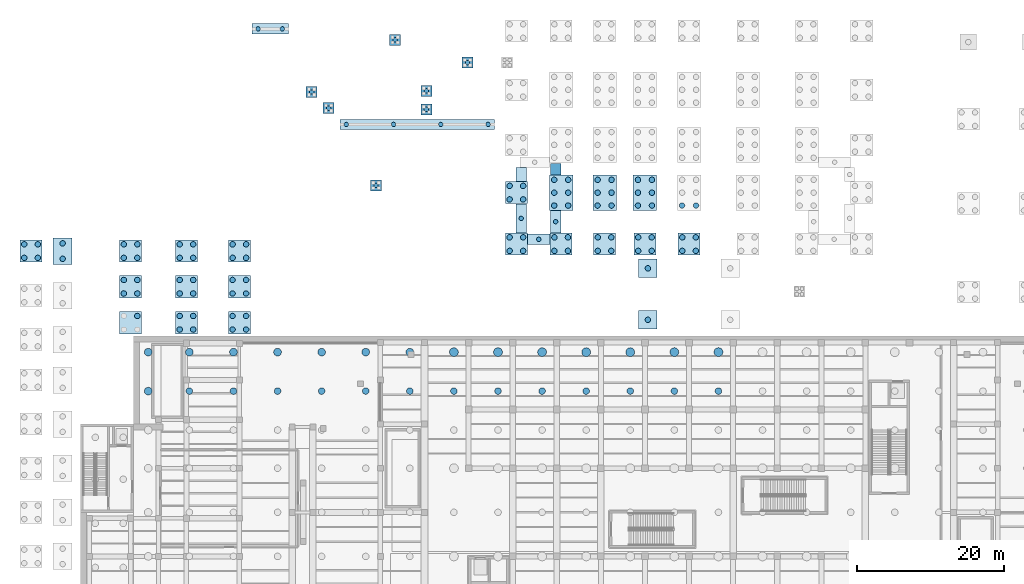
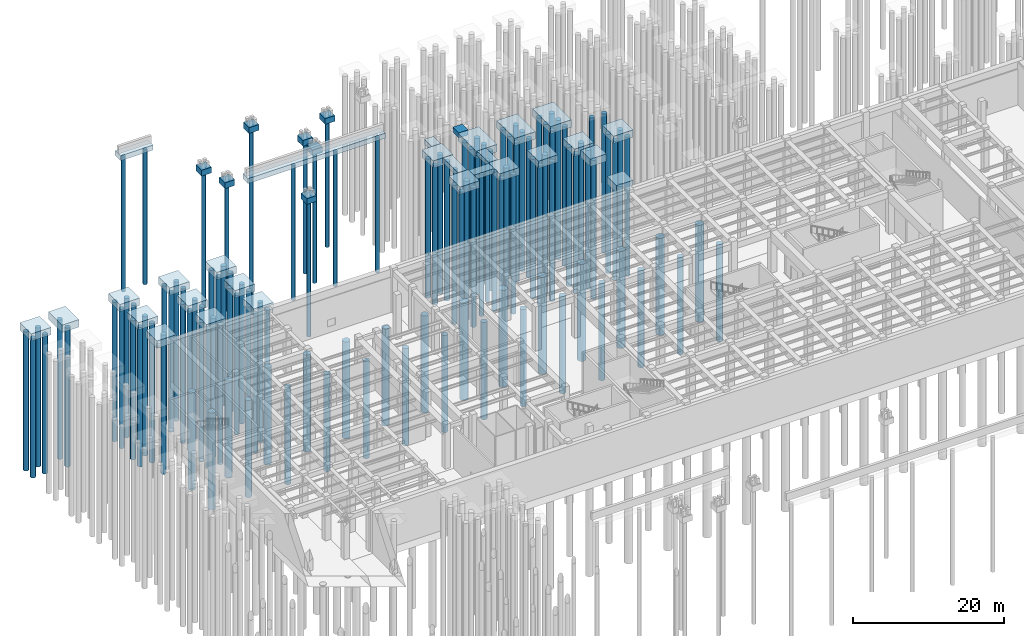
# One storey, part 3 of 30: 129 piles, 36 footings.
"""IFC4 building model written with IfcOpenShell, lengths in metres."""

from ifc_helpers import new_model, si_unit, direction, frame, origin, origin_2d, place, context, subcontext, project, spatial, rectangle, circle, extrude, material, material_profile, profile_set, type_object, element, save


model = new_model("IFC4")

# Units and contexts
model_context = context("Model", 3, precision=1e-05, world=origin(), true_north=direction((0.0, 1.0)))
body_context = subcontext(model_context, "Body", "Model", "MODEL_VIEW")
ifc_project = project(units=[si_unit("LENGTHUNIT", "METRE"), si_unit("AREAUNIT", "SQUARE_METRE"), si_unit("VOLUMEUNIT", "CUBIC_METRE"), si_unit("PLANEANGLEUNIT", "RADIAN"), si_unit("MASSUNIT", "GRAM", prefix="KILO")], contexts=[model_context])

# Site, building, storey
site_placement = place(None, origin())
site = spatial("IfcSite", under=ifc_project, at=site_placement, CompositionType="ELEMENT")
building_placement = place(site_placement, origin())
building = spatial("IfcBuilding", under=site, at=building_placement, Name="Kolvaren Corner Interchange", CompositionType="ELEMENT")
storey_placement = place(building_placement, frame((0.0, 0.0, -7.199951171875)))
storey = spatial("IfcBuildingStorey", under=building, at=storey_placement, Name="B1", CompositionType="ELEMENT", Elevation=-7.199951171875)

# Footings
ifc_material_1 = material(Name="Concrete C40/50", Category="concrete")
footing_type_1 = type_object("IfcFootingType", Name="FC-3P", PredefinedType="PILE_CAP", material=ifc_material_1)
footing_1_placement = place(storey_placement, frame((4.75, 83.550048828125, 5.60009765625), z_axis=(0.0, 0.0, 1.0), x_axis=(1.0, 0.0, 0.0)))
element("IfcFooting", 1, at=footing_1_placement, inside=storey, type_object=footing_type_1, Name="Reinforced Concrete Foundation Pile Cap 030", PredefinedType="PILE_CAP", context=body_context, shape_type="SweptSolid", body=[
    extrude(rectangle(XDim=2.60009765625, YDim=3.60009765625, at=origin_2d()), origin(), (0.0, 0.0, 1.0), 1.199951171875),
])
ifc_material_2 = material(Name="Concrete C40/50", Category="concrete")
footing_type_2 = type_object("IfcFootingType", Name="FC-4P", PredefinedType="PILE_CAP", material=ifc_material_2)
for number, where, z_axis, x_axis, name in (
    (2, (0.449951171875, 83.550048828125, 5.60009765625), (0.0, 0.0, 1.0), (1.0, 0.0, 0.0), "Reinforced Concrete Foundation Pile Cap 015"),
    (3, (14.0, 73.800048828125, 5.60009765625), (0.0, 0.0, 1.0), (1.0, 0.0, 0.0), "Reinforced Concrete Foundation Pile Cap 046"),
    (4, (14.0, 78.699951171875, 5.60009765625), (0.0, 0.0, 1.0), (1.0, 0.0, 0.0), "Reinforced Concrete Foundation Pile Cap 047"),
    (5, (14.0, 83.550048828125, 5.60009765625), (0.0, 0.0, 1.0), (1.0, 0.0, 0.0), "Reinforced Concrete Foundation Pile Cap 048"),
    (6, (21.60009765625, 73.800048828125, 5.60009765625), (0.0, 0.0, 1.0), (1.0, 0.0, 0.0), "Reinforced Concrete Foundation Pile Cap 049"),
    (7, (21.60009765625, 78.699951171875, 5.60009765625), (0.0, 0.0, 1.0), (1.0, 0.0, 0.0), "Reinforced Concrete Foundation Pile Cap 050"),
    (8, (21.60009765625, 83.550048828125, 5.60009765625), (0.0, 0.0, 1.0), (1.0, 0.0, 0.0), "Reinforced Concrete Foundation Pile Cap 051"),
    (9, (28.800048828125, 73.800048828125, 5.60009765625), (0.0, 0.0, 1.0), (1.0, 0.0, 0.0), "Reinforced Concrete Foundation Pile Cap 052"),
    (10, (28.800048828125, 78.699951171875, 5.60009765625), (0.0, 0.0, 1.0), (1.0, 0.0, 0.0), "Reinforced Concrete Foundation Pile Cap 053"),
    (11, (28.800048828125, 83.550048828125, 5.60009765625), (0.0, 0.0, 1.0), (1.0, 0.0, 0.0), "Reinforced Concrete Foundation Pile Cap 054"),
    (12, (66.5, 84.5, 5.60009765625), (0.0, 0.0, 1.0), (1.0, 0.0, 0.0), "Reinforced Concrete Foundation Pile Cap 055"),
    (13, (66.5, 91.5, 5.60009765625), (0.0, 0.0, 1.0), (1.0, 0.0, 0.0), "Reinforced Concrete Foundation Pile Cap 056"),
    (14, (72.60009765625, 84.5, 5.60009765625), (0.0, 0.0, 1.0), (1.0, 0.0, 0.0), "Reinforced Concrete Foundation Pile Cap 060"),
    (15, (78.5, 84.5, 5.60009765625), (0.0, 0.0, 1.0), (1.0, 0.0, 0.0), "Reinforced Concrete Foundation Pile Cap 065"),
    (16, (84.0, 84.5, 5.60009765625), (0.0, 0.0, 1.0), (1.0, 0.0, 0.0), "Reinforced Concrete Foundation Pile Cap 070"),
    (17, (90.0, 84.5, 5.60009765625), (0.0, 0.0, 1.0), (1.0, 0.0, 0.0), "Reinforced Concrete Foundation Pile Cap 075"),
):
    element("IfcFooting", number, at=place(storey_placement, frame(where, z_axis=z_axis, x_axis=x_axis)), inside=storey, type_object=footing_type_2, Name=name, PredefinedType="PILE_CAP", context=body_context, shape_type="SweptSolid", body=[
        extrude(rectangle(XDim=3.0, YDim=3.0, at=origin_2d()), origin(), (0.0, 0.0, 1.0), 1.199951171875),
    ])
ifc_material_3 = material(Name="Concrete C40/50", Category="concrete")
footing_type_3 = type_object("IfcFootingType", Name="FC-6P", PredefinedType="PILE_CAP", material=ifc_material_3)
for number, where, z_axis, x_axis, name in (
    (18, (72.60009765625, 91.5, 5.60009765625), (0.0, 0.0, 1.0), (1.0, 0.0, 0.0), "Reinforced Concrete Foundation Pile Cap 061"),
    (19, (78.5, 91.5, 5.60009765625), (0.0, 0.0, 1.0), (1.0, 0.0, 0.0), "Reinforced Concrete Foundation Pile Cap 066"),
    (20, (84.0, 91.5, 5.60009765625), (0.0, 0.0, 1.0), (1.0, 0.0, 0.0), "Reinforced Concrete Foundation Pile Cap 071"),
):
    element("IfcFooting", number, at=place(storey_placement, frame(where, z_axis=z_axis, x_axis=x_axis)), inside=storey, type_object=footing_type_3, Name=name, PredefinedType="PILE_CAP", context=body_context, shape_type="SweptSolid", body=[
        extrude(rectangle(XDim=3.199951171875, YDim=4.800048828125, at=origin_2d()), origin(), (0.0, 0.0, 1.0), 1.199951171875),
    ])
ifc_material_4 = material(Name="Concrete C40/50", Category="concrete")
footing_type_4 = type_object("IfcFootingType", Name="FD-PAD2", PredefinedType="PAD_FOOTING", material=ifc_material_4)
for number, where, z_axis, x_axis, name in (
    (21, (84.39990234375, 74.199951171875, 5.60009765625), (0.0, 0.0, 1.0), (1.0, 0.0, 0.0), "Reinforced Concrete Foundation Pile Cap 095"),
    (22, (84.39990234375, 81.199951171875, 5.60009765625), (0.0, 0.0, 1.0), (1.0, 0.0, 0.0), "Reinforced Concrete Foundation Pile Cap 096"),
):
    element("IfcFooting", number, at=place(storey_placement, frame(where, z_axis=z_axis, x_axis=x_axis)), inside=storey, type_object=footing_type_4, Name=name, PredefinedType="PAD_FOOTING", context=body_context, shape_type="SweptSolid", body=[
        extrude(rectangle(XDim=2.5, YDim=2.5, at=origin_2d()), origin(), (0.0, 0.0, 1.0), 1.199951171875),
    ])
ifc_material_5 = material(Name="Concrete C40/50", Category="concrete")
footing_type_5 = type_object("IfcFootingType", Name="FD-PAD4", PredefinedType="PAD_FOOTING", material=ifc_material_5)
for number, where, z_axis, x_axis, name in (
    (23, (50.0, 112.300048828125, 3.669921875), (0.0, 0.0, 1.0), (1.0, 0.0, 0.0), "Reinforced Concrete Foundation Pile Cap 142"),
    (24, (59.85009765625, 109.199951171875, 3.56005859375), (0.0, 0.0, 1.0), (1.0, 0.0, 0.0), "Reinforced Concrete Foundation Pile Cap 145"),
    (25, (38.64990234375, 105.199951171875, 5.06005859375), (0.0, 0.0, 1.0), (1.0, 0.0, 0.0), "Reinforced Concrete Foundation Pile Cap 151"),
    (26, (40.949951171875, 103.0, 3.56005859375), (0.0, 0.0, 1.0), (1.0, 0.0, 0.0), "Reinforced Concrete Foundation Pile Cap 152"),
    (27, (54.25, 102.85009765625, 4.31005859375), (0.0, 0.0, 1.0), (1.0, 0.0, 0.0), "Reinforced Concrete Foundation Pile Cap 153"),
    (28, (54.25, 105.35009765625, 4.31005859375), (0.0, 0.0, 1.0), (1.0, 0.0, 0.0), "Reinforced Concrete Foundation Pile Cap 154"),
    (29, (47.39990234375, 92.5, 5.10986328125), (0.0, 0.0, 1.0), (1.0, 0.0, 0.0), "Reinforced Concrete Foundation Pile Cap 157"),
):
    element("IfcFooting", number, at=place(storey_placement, frame(where, z_axis=z_axis, x_axis=x_axis)), inside=storey, type_object=footing_type_5, Name=name, PredefinedType="PAD_FOOTING", context=body_context, shape_type="SweptSolid", body=[
        extrude(rectangle(XDim=1.5, YDim=1.5, at=origin_2d()), origin(), (0.0, 0.0, 1.0), 0.949951171875),
    ])
ifc_material_6 = material(Name="Concrete C40/50", Category="concrete")
ifc_material_profile_1 = material_profile(ifc_material_6, rectangle(XDim=1.39990234375, YDim=0.800048828125, at=origin_2d()), Name="STRIP 1400x800")
ifc_profile_set_1 = profile_set([ifc_material_profile_1], Name="Concrete C40/50")
footing_type_6 = type_object("IfcFootingType", Name="FS-STRIP1", PredefinedType="STRIP_FOOTING", material=ifc_profile_set_1)
footing_2_placement = place(storey_placement, frame((30.5, 113.7900390625, 5.300048828125), z_axis=(1.0, 0.0, 0.0), x_axis=(0.0, 1.0, 0.0)))
element("IfcFooting", 30, at=footing_2_placement, inside=storey, type_object=footing_type_6, Name="Northwest Rain Court Plinth Strip Footing", PredefinedType="STRIP_FOOTING", context=body_context, shape_type="SweptSolid", body=[
    extrude(rectangle(XDim=1.39990234375, YDim=0.800048828125, at=origin_2d()), origin(), (0.0, 0.0, 1.0), 5.0),
])
footing_3_placement = place(storey_placement, frame((42.5, 100.7900390625, 5.300048828125), z_axis=(1.0, 0.0, 0.0), x_axis=(0.0, 1.0, 0.0)))
element("IfcFooting", 31, at=footing_3_placement, inside=storey, type_object=footing_type_6, Name="Northwest Cycle Ramp Plinth Strip Footing", PredefinedType="STRIP_FOOTING", context=body_context, shape_type="SweptSolid", body=[
    extrude(rectangle(XDim=1.39990234375, YDim=0.800048828125, at=origin_2d()), origin(), (0.0, 0.0, 1.0), 21.0),
])
footing_4_placement = place(storey_placement, frame((68.02001953125, 85.155029296875, 6.39990234375), z_axis=(1.0, 0.0, 0.0), x_axis=(0.0, 1.0, 0.0)))
element("IfcFooting", 32, at=footing_4_placement, inside=storey, type_object=footing_type_6, Name="Cycle Hub West Pavilion Exit Stair South Strip Footing", PredefinedType="STRIP_FOOTING", context=body_context, shape_type="SweptSolid", body=[
    extrude(rectangle(XDim=1.39990234375, YDim=0.800048828125, at=origin_2d()), origin(), (0.0, 0.0, 1.0), 3.06005859375),
])
footing_5_placement = place(storey_placement, frame((67.155029296875, 86.02001953125, 6.39990234375), z_axis=(0.0, 1.0, 0.0), x_axis=(-1.0, 0.0, 0.0)))
element("IfcFooting", 33, at=footing_5_placement, inside=storey, type_object=footing_type_6, Name="Cycle Hub West Pavilion Exit Stair West Strip Footing Segment 1", PredefinedType="STRIP_FOOTING", context=body_context, shape_type="SweptSolid", body=[
    extrude(rectangle(XDim=1.39990234375, YDim=0.800048828125, at=origin_2d()), origin(), (0.0, 0.0, 1.0), 3.9599609375),
])
footing_6_placement = place(storey_placement, frame((67.155029296875, 93.02001953125, 6.39990234375), z_axis=(0.0, 1.0, 0.0), x_axis=(-1.0, 0.0, 0.0)))
element("IfcFooting", 34, at=footing_6_placement, inside=storey, type_object=footing_type_6, Name="Cycle Hub West Pavilion Exit Stair West Strip Footing Segment 2", PredefinedType="STRIP_FOOTING", context=body_context, shape_type="SweptSolid", body=[
    extrude(rectangle(XDim=1.39990234375, YDim=0.800048828125, at=origin_2d()), origin(), (0.0, 0.0, 1.0), 1.905029296875),
])
footing_7_placement = place(storey_placement, frame((71.844970703125, 86.02001953125, 6.39990234375), z_axis=(0.0, 1.0, 0.0), x_axis=(-1.0, 0.0, 0.0)))
element("IfcFooting", 35, at=footing_7_placement, inside=storey, type_object=footing_type_6, Name="Cycle Hub West Pavilion Exit Stair East Strip Footing Segment 1", PredefinedType="STRIP_FOOTING", context=body_context, shape_type="SweptSolid", body=[
    extrude(rectangle(XDim=1.39990234375, YDim=0.800048828125, at=origin_2d()), origin(), (0.0, 0.0, 1.0), 3.06005859375),
])
footing_8_placement = place(storey_placement, frame((71.844970703125, 93.919921875, 6.39990234375), z_axis=(0.0, 1.0, 0.0), x_axis=(-1.0, 0.0, 0.0)))
element("IfcFooting", 36, at=footing_8_placement, inside=storey, type_object=footing_type_6, Name="Cycle Hub West Pavilion Exit Stair East Strip Footing Segment 2", PredefinedType="STRIP_FOOTING", context=body_context, shape_type="SweptSolid", body=[
    extrude(rectangle(XDim=1.39990234375, YDim=0.800048828125, at=origin_2d()), origin(), (0.0, 0.0, 1.0), 1.570068359375),
])

# Piles
ifc_material_7 = material(Name="Concrete C40/50", Category="concrete")
ifc_material_profile_2 = material_profile(ifc_material_7, circle(Radius=0.52490234375, at=origin_2d()), Name="BORED PILE 1050")
ifc_profile_set_2 = profile_set([ifc_material_profile_2], Name="Concrete C40/50")
pile_type_1 = type_object("IfcPileType", Name="PILE-BP1050", PredefinedType="BORED", material=ifc_profile_set_2)
for number, where, z_axis, x_axis, name in (
    (37, (16.39990234375, 64.5, -1.10009765625), (0.0, 0.0, -1.0), (1.0, 0.0, 0.0), "Metro Base Raft Rotary Bored Pile 0008"),
    (38, (16.39990234375, 69.800048828125, -1.10009765625), (0.0, 0.0, -1.0), (1.0, 0.0, 0.0), "Metro Base Raft Rotary Bored Pile 0009"),
    (39, (22.0, 69.800048828125, -1.10009765625), (0.0, 0.0, -1.0), (1.0, 0.0, 0.0), "Metro Base Raft Rotary Bored Pile 0018"),
    (40, (28.0, 69.800048828125, -1.10009765625), (0.0, 0.0, -1.0), (1.0, 0.0, 0.0), "Metro Base Raft Rotary Bored Pile 0027"),
    (41, (34.0, 69.800048828125, -1.10009765625), (0.0, 0.0, -1.0), (1.0, 0.0, 0.0), "Metro Base Raft Rotary Bored Pile 0036"),
    (42, (40.0, 69.800048828125, -1.10009765625), (0.0, 0.0, -1.0), (1.0, 0.0, 0.0), "Metro Base Raft Rotary Bored Pile 0045"),
    (43, (46.0, 69.800048828125, -1.10009765625), (0.0, 0.0, -1.0), (1.0, 0.0, 0.0), "Metro Base Raft Rotary Bored Pile 0054"),
    (44, (52.0, 69.800048828125, -1.10009765625), (0.0, 0.0, -1.0), (1.0, 0.0, 0.0), "Metro Base Raft Rotary Bored Pile 0063"),
):
    element("IfcPile", number, at=place(storey_placement, frame(where, z_axis=z_axis, x_axis=x_axis)), inside=storey, type_object=pile_type_1, Name=name, PredefinedType="BORED", context=body_context, shape_type="SweptSolid", body=[
        extrude(circle(Radius=0.52490234375, at=origin_2d()), origin(), (0.0, 0.0, 1.0), 15.699951171875),
    ])
ifc_material_8 = material(Name="Concrete C40/50", Category="concrete")
ifc_material_profile_3 = material_profile(ifc_material_8, circle(Radius=0.60009765625, at=origin_2d()), Name="BORED PILE 1200")
ifc_profile_set_3 = profile_set([ifc_material_profile_3], Name="Concrete C40/50")
pile_type_2 = type_object("IfcPileType", Name="PILE-BP1200", PredefinedType="BORED", material=ifc_profile_set_3)
for number, where, z_axis, x_axis, name in (
    (45, (58.0, 69.800048828125, -1.10009765625), (0.0, 0.0, -1.0), (1.0, 0.0, 0.0), "Metro Base Raft Rotary Bored Pile 0072"),
    (46, (64.0, 69.800048828125, -1.10009765625), (0.0, 0.0, -1.0), (1.0, 0.0, 0.0), "Metro Base Raft Rotary Bored Pile 0081"),
    (47, (70.0, 69.800048828125, -1.10009765625), (0.0, 0.0, -1.0), (1.0, 0.0, 0.0), "Metro Base Raft Rotary Bored Pile 0090"),
    (48, (76.0, 69.800048828125, -1.10009765625), (0.0, 0.0, -1.0), (1.0, 0.0, 0.0), "Metro Base Raft Rotary Bored Pile 0099"),
    (49, (82.0, 69.800048828125, -1.10009765625), (0.0, 0.0, -1.0), (1.0, 0.0, 0.0), "Metro Base Raft Rotary Bored Pile 0108"),
    (50, (88.0, 69.800048828125, -1.10009765625), (0.0, 0.0, -1.0), (1.0, 0.0, 0.0), "Metro Base Raft Rotary Bored Pile 0117"),
    (51, (94.0, 69.800048828125, -1.10009765625), (0.0, 0.0, -1.0), (1.0, 0.0, 0.0), "Metro Base Raft Rotary Bored Pile 0126"),
):
    element("IfcPile", number, at=place(storey_placement, frame(where, z_axis=z_axis, x_axis=x_axis)), inside=storey, type_object=pile_type_2, Name=name, PredefinedType="BORED", context=body_context, shape_type="SweptSolid", body=[
        extrude(circle(Radius=0.60009765625, at=origin_2d()), origin(), (0.0, 0.0, 1.0), 15.699951171875),
    ])
ifc_material_9 = material(Name="Concrete C40/50", Category="concrete")
ifc_material_profile_4 = material_profile(ifc_material_9, circle(Radius=0.300048828125, at=origin_2d()), Name="BORED PILE 600")
ifc_profile_set_4 = profile_set([ifc_material_profile_4], Name="Concrete C40/50")
pile_type_3 = type_object("IfcPileType", Name="PILE-BP600", PredefinedType="BORED", material=ifc_profile_set_4)
for number, where, z_axis, x_axis, name in (
    (52, (31.35009765625, 113.7900390625, 5.0), (0.0, 0.0, -1.0), (1.0, 0.0, 0.0), "Northwest Rain Court Plinth Strip Footing Bored Pile 020"),
    (53, (34.64990234375, 113.7900390625, 5.0), (0.0, 0.0, -1.0), (1.0, 0.0, 0.0), "Northwest Rain Court Plinth Strip Footing Bored Pile 021"),
    (54, (43.35009765625, 100.7900390625, 5.0), (0.0, 0.0, -1.0), (1.0, 0.0, 0.0), "Northwest Cycle Ramp Plinth Strip Footing Bored Pile 026"),
    (55, (49.783203125, 100.7900390625, 5.0), (0.0, 0.0, -1.0), (1.0, 0.0, 0.0), "Northwest Cycle Ramp Plinth Strip Footing Bored Pile 027"),
    (56, (56.216796875, 100.7900390625, 5.0), (0.0, 0.0, -1.0), (1.0, 0.0, 0.0), "Northwest Cycle Ramp Plinth Strip Footing Bored Pile 028"),
    (57, (62.64990234375, 100.7900390625, 5.0), (0.0, 0.0, -1.0), (1.0, 0.0, 0.0), "Northwest Cycle Ramp Plinth Strip Footing Bored Pile 029"),
):
    element("IfcPile", number, at=place(storey_placement, frame(where, z_axis=z_axis, x_axis=x_axis)), inside=storey, type_object=pile_type_3, Name=name, PredefinedType="BORED", context=body_context, shape_type="SweptSolid", body=[
        extrude(circle(Radius=0.300048828125, at=origin_2d()), origin(), (0.0, 0.0, 1.0), 21.800048828125),
    ])
for number, where, z_axis, x_axis, name in (
    (58, (69.550048828125, 85.155029296875, 6.099853515625), (0.0, 0.0, -1.0), (1.0, 0.0, 0.0), "Cycle Hub West Pavilion Exit Stair South Bored Pile 001"),
    (59, (67.155029296875, 88.0, 6.099853515625), (0.0, 0.0, -1.0), (1.0, 0.0, 0.0), "Cycle Hub West Pavilion Exit Stair West Bored Pile 003"),
    (60, (71.844970703125, 87.550048828125, 6.099853515625), (0.0, 0.0, -1.0), (1.0, 0.0, 0.0), "Cycle Hub West Pavilion Exit Stair East Bored Pile 005"),
):
    element("IfcPile", number, at=place(storey_placement, frame(where, z_axis=z_axis, x_axis=x_axis)), inside=storey, type_object=pile_type_3, Name=name, PredefinedType="BORED", context=body_context, shape_type="SweptSolid", body=[
        extrude(circle(Radius=0.300048828125, at=origin_2d()), origin(), (0.0, 0.0, 1.0), 22.89990234375),
    ])
pile_1_placement = place(storey_placement, frame((50.0, 112.300048828125, 3.77001953125), z_axis=(0.0, 0.0, -1.0), x_axis=(1.0, 0.0, 0.0)))
element("IfcPile", 61, at=pile_1_placement, inside=storey, type_object=pile_type_3, Name="Pile Cap Rotary Bored Pile 0519", PredefinedType="BORED", context=body_context, shape_type="SweptSolid", body=[
    extrude(circle(Radius=0.300048828125, at=origin_2d()), origin(), (0.0, 0.0, 1.0), 20.570068359375),
])
pile_2_placement = place(storey_placement, frame((59.85009765625, 109.199951171875, 3.659912109375), z_axis=(0.0, 0.0, -1.0), x_axis=(1.0, 0.0, 0.0)))
element("IfcPile", 62, at=pile_2_placement, inside=storey, type_object=pile_type_3, Name="Pile Cap Rotary Bored Pile 0522", PredefinedType="BORED", context=body_context, shape_type="SweptSolid", body=[
    extrude(circle(Radius=0.300048828125, at=origin_2d()), origin(), (0.0, 0.0, 1.0), 20.4599609375),
])
pile_3_placement = place(storey_placement, frame((38.64990234375, 105.199951171875, 5.159912109375), z_axis=(0.0, 0.0, -1.0), x_axis=(1.0, 0.0, 0.0)))
element("IfcPile", 63, at=pile_3_placement, inside=storey, type_object=pile_type_3, Name="Pile Cap Rotary Bored Pile 0528", PredefinedType="BORED", context=body_context, shape_type="SweptSolid", body=[
    extrude(circle(Radius=0.300048828125, at=origin_2d()), origin(), (0.0, 0.0, 1.0), 21.9599609375),
])
pile_4_placement = place(storey_placement, frame((40.949951171875, 103.0, 3.659912109375), z_axis=(0.0, 0.0, -1.0), x_axis=(1.0, 0.0, 0.0)))
element("IfcPile", 64, at=pile_4_placement, inside=storey, type_object=pile_type_3, Name="Pile Cap Rotary Bored Pile 0529", PredefinedType="BORED", context=body_context, shape_type="SweptSolid", body=[
    extrude(circle(Radius=0.300048828125, at=origin_2d()), origin(), (0.0, 0.0, 1.0), 20.4599609375),
])
for number, where, z_axis, x_axis, name in (
    (65, (54.25, 102.85009765625, 4.409912109375), (0.0, 0.0, -1.0), (1.0, 0.0, 0.0), "Pile Cap Rotary Bored Pile 0530"),
    (66, (54.25, 105.35009765625, 4.409912109375), (0.0, 0.0, -1.0), (1.0, 0.0, 0.0), "Pile Cap Rotary Bored Pile 0531"),
):
    element("IfcPile", number, at=place(storey_placement, frame(where, z_axis=z_axis, x_axis=x_axis)), inside=storey, type_object=pile_type_3, Name=name, PredefinedType="BORED", context=body_context, shape_type="SweptSolid", body=[
        extrude(circle(Radius=0.300048828125, at=origin_2d()), origin(), (0.0, 0.0, 1.0), 21.2099609375),
    ])
pile_5_placement = place(storey_placement, frame((47.39990234375, 92.5, 5.2099609375), z_axis=(0.0, 0.0, -1.0), x_axis=(1.0, 0.0, 0.0)))
element("IfcPile", 67, at=pile_5_placement, inside=storey, type_object=pile_type_3, Name="Pile Cap Rotary Bored Pile 0534", PredefinedType="BORED", context=body_context, shape_type="SweptSolid", body=[
    extrude(circle(Radius=0.300048828125, at=origin_2d()), origin(), (0.0, 0.0, 1.0), 22.010009765625),
])
ifc_material_10 = material(Name="Concrete C40/50", Category="concrete")
ifc_material_profile_5 = material_profile(ifc_material_10, circle(Radius=0.375, at=origin_2d()), Name="BORED PILE 750")
ifc_profile_set_5 = profile_set([ifc_material_profile_5], Name="Concrete C40/50")
pile_type_4 = type_object("IfcPileType", Name="PILE-BP750", PredefinedType="BORED", material=ifc_profile_set_5)
for number, where, z_axis, x_axis, name in (
    (68, (-0.469970703125, 82.6298828125, 5.699951171875), (0.0, 0.0, -1.0), (1.0, 0.0, 0.0), "Pile Cap Rotary Bored Pile 0057"),
    (69, (1.3701171875, 82.6298828125, 5.699951171875), (0.0, 0.0, -1.0), (1.0, 0.0, 0.0), "Pile Cap Rotary Bored Pile 0058"),
    (70, (-0.469970703125, 84.469970703125, 5.699951171875), (0.0, 0.0, -1.0), (1.0, 0.0, 0.0), "Pile Cap Rotary Bored Pile 0059"),
    (71, (1.3701171875, 84.469970703125, 5.699951171875), (0.0, 0.0, -1.0), (1.0, 0.0, 0.0), "Pile Cap Rotary Bored Pile 0060"),
    (72, (4.75, 82.5, 5.699951171875), (0.0, 0.0, -1.0), (1.0, 0.0, 0.0), "Pile Cap Rotary Bored Pile 0089"),
    (73, (4.75, 84.60009765625, 5.699951171875), (0.0, 0.0, -1.0), (1.0, 0.0, 0.0), "Pile Cap Rotary Bored Pile 0090"),
    (74, (14.919921875, 74.719970703125, 5.699951171875), (0.0, 0.0, -1.0), (1.0, 0.0, 0.0), "Pile Cap Rotary Bored Pile 0142"),
    (75, (13.080078125, 77.780029296875, 5.699951171875), (0.0, 0.0, -1.0), (1.0, 0.0, 0.0), "Pile Cap Rotary Bored Pile 0143"),
    (76, (14.919921875, 77.780029296875, 5.699951171875), (0.0, 0.0, -1.0), (1.0, 0.0, 0.0), "Pile Cap Rotary Bored Pile 0144"),
    (77, (13.080078125, 79.6201171875, 5.699951171875), (0.0, 0.0, -1.0), (1.0, 0.0, 0.0), "Pile Cap Rotary Bored Pile 0145"),
    (78, (14.919921875, 79.6201171875, 5.699951171875), (0.0, 0.0, -1.0), (1.0, 0.0, 0.0), "Pile Cap Rotary Bored Pile 0146"),
    (79, (13.080078125, 82.6298828125, 5.699951171875), (0.0, 0.0, -1.0), (1.0, 0.0, 0.0), "Pile Cap Rotary Bored Pile 0147"),
    (80, (14.919921875, 82.6298828125, 5.699951171875), (0.0, 0.0, -1.0), (1.0, 0.0, 0.0), "Pile Cap Rotary Bored Pile 0148"),
    (81, (13.080078125, 84.469970703125, 5.699951171875), (0.0, 0.0, -1.0), (1.0, 0.0, 0.0), "Pile Cap Rotary Bored Pile 0149"),
    (82, (14.919921875, 84.469970703125, 5.699951171875), (0.0, 0.0, -1.0), (1.0, 0.0, 0.0), "Pile Cap Rotary Bored Pile 0150"),
    (83, (20.679931640625, 72.8798828125, 5.699951171875), (0.0, 0.0, -1.0), (1.0, 0.0, 0.0), "Pile Cap Rotary Bored Pile 0151"),
    (84, (22.52001953125, 72.8798828125, 5.699951171875), (0.0, 0.0, -1.0), (1.0, 0.0, 0.0), "Pile Cap Rotary Bored Pile 0152"),
    (85, (20.679931640625, 74.719970703125, 5.699951171875), (0.0, 0.0, -1.0), (1.0, 0.0, 0.0), "Pile Cap Rotary Bored Pile 0153"),
    (86, (22.52001953125, 74.719970703125, 5.699951171875), (0.0, 0.0, -1.0), (1.0, 0.0, 0.0), "Pile Cap Rotary Bored Pile 0154"),
    (87, (20.679931640625, 77.780029296875, 5.699951171875), (0.0, 0.0, -1.0), (1.0, 0.0, 0.0), "Pile Cap Rotary Bored Pile 0155"),
    (88, (22.52001953125, 77.780029296875, 5.699951171875), (0.0, 0.0, -1.0), (1.0, 0.0, 0.0), "Pile Cap Rotary Bored Pile 0156"),
    (89, (20.679931640625, 79.6201171875, 5.699951171875), (0.0, 0.0, -1.0), (1.0, 0.0, 0.0), "Pile Cap Rotary Bored Pile 0157"),
    (90, (22.52001953125, 79.6201171875, 5.699951171875), (0.0, 0.0, -1.0), (1.0, 0.0, 0.0), "Pile Cap Rotary Bored Pile 0158"),
    (91, (20.679931640625, 82.6298828125, 5.699951171875), (0.0, 0.0, -1.0), (1.0, 0.0, 0.0), "Pile Cap Rotary Bored Pile 0159"),
    (92, (22.52001953125, 82.6298828125, 5.699951171875), (0.0, 0.0, -1.0), (1.0, 0.0, 0.0), "Pile Cap Rotary Bored Pile 0160"),
    (93, (20.679931640625, 84.469970703125, 5.699951171875), (0.0, 0.0, -1.0), (1.0, 0.0, 0.0), "Pile Cap Rotary Bored Pile 0161"),
    (94, (22.52001953125, 84.469970703125, 5.699951171875), (0.0, 0.0, -1.0), (1.0, 0.0, 0.0), "Pile Cap Rotary Bored Pile 0162"),
    (95, (27.8798828125, 72.8798828125, 5.699951171875), (0.0, 0.0, -1.0), (1.0, 0.0, 0.0), "Pile Cap Rotary Bored Pile 0163"),
    (96, (29.719970703125, 72.8798828125, 5.699951171875), (0.0, 0.0, -1.0), (1.0, 0.0, 0.0), "Pile Cap Rotary Bored Pile 0164"),
    (97, (27.8798828125, 74.719970703125, 5.699951171875), (0.0, 0.0, -1.0), (1.0, 0.0, 0.0), "Pile Cap Rotary Bored Pile 0165"),
    (98, (29.719970703125, 74.719970703125, 5.699951171875), (0.0, 0.0, -1.0), (1.0, 0.0, 0.0), "Pile Cap Rotary Bored Pile 0166"),
    (99, (27.8798828125, 77.780029296875, 5.699951171875), (0.0, 0.0, -1.0), (1.0, 0.0, 0.0), "Pile Cap Rotary Bored Pile 0167"),
    (100, (29.719970703125, 77.780029296875, 5.699951171875), (0.0, 0.0, -1.0), (1.0, 0.0, 0.0), "Pile Cap Rotary Bored Pile 0168"),
    (101, (27.8798828125, 79.6201171875, 5.699951171875), (0.0, 0.0, -1.0), (1.0, 0.0, 0.0), "Pile Cap Rotary Bored Pile 0169"),
    (102, (29.719970703125, 79.6201171875, 5.699951171875), (0.0, 0.0, -1.0), (1.0, 0.0, 0.0), "Pile Cap Rotary Bored Pile 0170"),
    (103, (27.8798828125, 82.6298828125, 5.699951171875), (0.0, 0.0, -1.0), (1.0, 0.0, 0.0), "Pile Cap Rotary Bored Pile 0171"),
    (104, (29.719970703125, 82.6298828125, 5.699951171875), (0.0, 0.0, -1.0), (1.0, 0.0, 0.0), "Pile Cap Rotary Bored Pile 0172"),
    (105, (27.8798828125, 84.469970703125, 5.699951171875), (0.0, 0.0, -1.0), (1.0, 0.0, 0.0), "Pile Cap Rotary Bored Pile 0173"),
    (106, (29.719970703125, 84.469970703125, 5.699951171875), (0.0, 0.0, -1.0), (1.0, 0.0, 0.0), "Pile Cap Rotary Bored Pile 0174"),
    (107, (65.580078125, 83.580078125, 5.699951171875), (0.0, 0.0, -1.0), (1.0, 0.0, 0.0), "Pile Cap Rotary Bored Pile 0175"),
    (108, (67.419921875, 83.580078125, 5.699951171875), (0.0, 0.0, -1.0), (1.0, 0.0, 0.0), "Pile Cap Rotary Bored Pile 0176"),
    (109, (65.580078125, 85.419921875, 5.699951171875), (0.0, 0.0, -1.0), (1.0, 0.0, 0.0), "Pile Cap Rotary Bored Pile 0177"),
    (110, (67.419921875, 85.419921875, 5.699951171875), (0.0, 0.0, -1.0), (1.0, 0.0, 0.0), "Pile Cap Rotary Bored Pile 0178"),
    (111, (65.580078125, 90.580078125, 5.699951171875), (0.0, 0.0, -1.0), (1.0, 0.0, 0.0), "Pile Cap Rotary Bored Pile 0179"),
    (112, (67.419921875, 90.580078125, 5.699951171875), (0.0, 0.0, -1.0), (1.0, 0.0, 0.0), "Pile Cap Rotary Bored Pile 0180"),
    (113, (65.580078125, 92.419921875, 5.699951171875), (0.0, 0.0, -1.0), (1.0, 0.0, 0.0), "Pile Cap Rotary Bored Pile 0181"),
    (114, (67.419921875, 92.419921875, 5.699951171875), (0.0, 0.0, -1.0), (1.0, 0.0, 0.0), "Pile Cap Rotary Bored Pile 0182"),
    (115, (71.679931640625, 83.580078125, 5.699951171875), (0.0, 0.0, -1.0), (1.0, 0.0, 0.0), "Pile Cap Rotary Bored Pile 0195"),
    (116, (73.52001953125, 83.580078125, 5.699951171875), (0.0, 0.0, -1.0), (1.0, 0.0, 0.0), "Pile Cap Rotary Bored Pile 0196"),
    (117, (71.679931640625, 85.419921875, 5.699951171875), (0.0, 0.0, -1.0), (1.0, 0.0, 0.0), "Pile Cap Rotary Bored Pile 0197"),
    (118, (73.52001953125, 85.419921875, 5.699951171875), (0.0, 0.0, -1.0), (1.0, 0.0, 0.0), "Pile Cap Rotary Bored Pile 0198"),
    (119, (71.64990234375, 89.75, 5.699951171875), (0.0, 0.0, -1.0), (1.0, 0.0, 0.0), "Pile Cap Rotary Bored Pile 0199"),
    (120, (73.550048828125, 89.75, 5.699951171875), (0.0, 0.0, -1.0), (1.0, 0.0, 0.0), "Pile Cap Rotary Bored Pile 0200"),
    (121, (71.64990234375, 91.5, 5.699951171875), (0.0, 0.0, -1.0), (1.0, 0.0, 0.0), "Pile Cap Rotary Bored Pile 0201"),
    (122, (73.550048828125, 91.5, 5.699951171875), (0.0, 0.0, -1.0), (1.0, 0.0, 0.0), "Pile Cap Rotary Bored Pile 0202"),
    (123, (71.64990234375, 93.25, 5.699951171875), (0.0, 0.0, -1.0), (1.0, 0.0, 0.0), "Pile Cap Rotary Bored Pile 0203"),
    (124, (73.550048828125, 93.25, 5.699951171875), (0.0, 0.0, -1.0), (1.0, 0.0, 0.0), "Pile Cap Rotary Bored Pile 0204"),
    (125, (77.580078125, 83.580078125, 5.699951171875), (0.0, 0.0, -1.0), (1.0, 0.0, 0.0), "Pile Cap Rotary Bored Pile 0221"),
    (126, (79.419921875, 83.580078125, 5.699951171875), (0.0, 0.0, -1.0), (1.0, 0.0, 0.0), "Pile Cap Rotary Bored Pile 0222"),
    (127, (77.580078125, 85.419921875, 5.699951171875), (0.0, 0.0, -1.0), (1.0, 0.0, 0.0), "Pile Cap Rotary Bored Pile 0223"),
    (128, (79.419921875, 85.419921875, 5.699951171875), (0.0, 0.0, -1.0), (1.0, 0.0, 0.0), "Pile Cap Rotary Bored Pile 0224"),
    (129, (77.550048828125, 89.75, 5.699951171875), (0.0, 0.0, -1.0), (1.0, 0.0, 0.0), "Pile Cap Rotary Bored Pile 0225"),
    (130, (79.449951171875, 89.75, 5.699951171875), (0.0, 0.0, -1.0), (1.0, 0.0, 0.0), "Pile Cap Rotary Bored Pile 0226"),
    (131, (77.550048828125, 91.5, 5.699951171875), (0.0, 0.0, -1.0), (1.0, 0.0, 0.0), "Pile Cap Rotary Bored Pile 0227"),
    (132, (79.449951171875, 91.5, 5.699951171875), (0.0, 0.0, -1.0), (1.0, 0.0, 0.0), "Pile Cap Rotary Bored Pile 0228"),
    (133, (77.550048828125, 93.25, 5.699951171875), (0.0, 0.0, -1.0), (1.0, 0.0, 0.0), "Pile Cap Rotary Bored Pile 0229"),
    (134, (79.449951171875, 93.25, 5.699951171875), (0.0, 0.0, -1.0), (1.0, 0.0, 0.0), "Pile Cap Rotary Bored Pile 0230"),
    (135, (83.080078125, 83.580078125, 5.699951171875), (0.0, 0.0, -1.0), (1.0, 0.0, 0.0), "Pile Cap Rotary Bored Pile 0247"),
    (136, (84.919921875, 83.580078125, 5.699951171875), (0.0, 0.0, -1.0), (1.0, 0.0, 0.0), "Pile Cap Rotary Bored Pile 0248"),
    (137, (83.080078125, 85.419921875, 5.699951171875), (0.0, 0.0, -1.0), (1.0, 0.0, 0.0), "Pile Cap Rotary Bored Pile 0249"),
    (138, (84.919921875, 85.419921875, 5.699951171875), (0.0, 0.0, -1.0), (1.0, 0.0, 0.0), "Pile Cap Rotary Bored Pile 0250"),
    (139, (83.050048828125, 89.75, 5.699951171875), (0.0, 0.0, -1.0), (1.0, 0.0, 0.0), "Pile Cap Rotary Bored Pile 0251"),
    (140, (84.949951171875, 89.75, 5.699951171875), (0.0, 0.0, -1.0), (1.0, 0.0, 0.0), "Pile Cap Rotary Bored Pile 0252"),
    (141, (83.050048828125, 91.5, 5.699951171875), (0.0, 0.0, -1.0), (1.0, 0.0, 0.0), "Pile Cap Rotary Bored Pile 0253"),
    (142, (84.949951171875, 91.5, 5.699951171875), (0.0, 0.0, -1.0), (1.0, 0.0, 0.0), "Pile Cap Rotary Bored Pile 0254"),
    (143, (83.050048828125, 93.25, 5.699951171875), (0.0, 0.0, -1.0), (1.0, 0.0, 0.0), "Pile Cap Rotary Bored Pile 0255"),
    (144, (84.949951171875, 93.25, 5.699951171875), (0.0, 0.0, -1.0), (1.0, 0.0, 0.0), "Pile Cap Rotary Bored Pile 0256"),
    (145, (89.080078125, 83.580078125, 5.699951171875), (0.0, 0.0, -1.0), (1.0, 0.0, 0.0), "Pile Cap Rotary Bored Pile 0273"),
    (146, (90.919921875, 83.580078125, 5.699951171875), (0.0, 0.0, -1.0), (1.0, 0.0, 0.0), "Pile Cap Rotary Bored Pile 0274"),
    (147, (89.080078125, 85.419921875, 5.699951171875), (0.0, 0.0, -1.0), (1.0, 0.0, 0.0), "Pile Cap Rotary Bored Pile 0275"),
    (148, (90.919921875, 85.419921875, 5.699951171875), (0.0, 0.0, -1.0), (1.0, 0.0, 0.0), "Pile Cap Rotary Bored Pile 0276"),
    (149, (89.050048828125, 89.75, 5.699951171875), (0.0, 0.0, -1.0), (1.0, 0.0, 0.0), "Pile Cap Rotary Bored Pile 0277"),
    (150, (90.949951171875, 89.75, 5.699951171875), (0.0, 0.0, -1.0), (1.0, 0.0, 0.0), "Pile Cap Rotary Bored Pile 0278"),
    (151, (84.39990234375, 74.199951171875, 5.699951171875), (0.0, 0.0, -1.0), (1.0, 0.0, 0.0), "Pile Cap Rotary Bored Pile 0371"),
    (152, (84.39990234375, 81.199951171875, 5.699951171875), (0.0, 0.0, -1.0), (1.0, 0.0, 0.0), "Pile Cap Rotary Bored Pile 0372"),
):
    element("IfcPile", number, at=place(storey_placement, frame(where, z_axis=z_axis, x_axis=x_axis)), inside=storey, type_object=pile_type_4, Name=name, PredefinedType="BORED", context=body_context, shape_type="SweptSolid", body=[
        extrude(circle(Radius=0.375, at=origin_2d()), origin(), (0.0, 0.0, 1.0), 22.5),
    ])
ifc_material_11 = material(Name="Concrete C40/50", Category="concrete")
ifc_material_profile_6 = material_profile(ifc_material_11, circle(Radius=0.449951171875, at=origin_2d()), Name="BORED PILE 900")
ifc_profile_set_6 = profile_set([ifc_material_profile_6], Name="Concrete C40/50")
pile_type_5 = type_object("IfcPileType", Name="PILE-BP900", PredefinedType="BORED", material=ifc_profile_set_6)
for number, where, z_axis, x_axis, name in (
    (153, (22.0, 64.5, -1.10009765625), (0.0, 0.0, -1.0), (1.0, 0.0, 0.0), "Metro Base Raft Rotary Bored Pile 0017"),
    (154, (28.0, 64.5, -1.10009765625), (0.0, 0.0, -1.0), (1.0, 0.0, 0.0), "Metro Base Raft Rotary Bored Pile 0026"),
    (155, (34.0, 64.5, -1.10009765625), (0.0, 0.0, -1.0), (1.0, 0.0, 0.0), "Metro Base Raft Rotary Bored Pile 0035"),
    (156, (40.0, 64.5, -1.10009765625), (0.0, 0.0, -1.0), (1.0, 0.0, 0.0), "Metro Base Raft Rotary Bored Pile 0044"),
    (157, (46.0, 64.5, -1.10009765625), (0.0, 0.0, -1.0), (1.0, 0.0, 0.0), "Metro Base Raft Rotary Bored Pile 0053"),
    (158, (52.0, 64.5, -1.10009765625), (0.0, 0.0, -1.0), (1.0, 0.0, 0.0), "Metro Base Raft Rotary Bored Pile 0062"),
    (159, (58.0, 64.5, -1.10009765625), (0.0, 0.0, -1.0), (1.0, 0.0, 0.0), "Metro Base Raft Rotary Bored Pile 0071"),
    (160, (64.0, 64.5, -1.10009765625), (0.0, 0.0, -1.0), (1.0, 0.0, 0.0), "Metro Base Raft Rotary Bored Pile 0080"),
    (161, (70.0, 64.5, -1.10009765625), (0.0, 0.0, -1.0), (1.0, 0.0, 0.0), "Metro Base Raft Rotary Bored Pile 0089"),
    (162, (76.0, 64.5, -1.10009765625), (0.0, 0.0, -1.0), (1.0, 0.0, 0.0), "Metro Base Raft Rotary Bored Pile 0098"),
    (163, (82.0, 64.5, -1.10009765625), (0.0, 0.0, -1.0), (1.0, 0.0, 0.0), "Metro Base Raft Rotary Bored Pile 0107"),
    (164, (88.0, 64.5, -1.10009765625), (0.0, 0.0, -1.0), (1.0, 0.0, 0.0), "Metro Base Raft Rotary Bored Pile 0116"),
    (165, (94.0, 64.5, -1.10009765625), (0.0, 0.0, -1.0), (1.0, 0.0, 0.0), "Metro Base Raft Rotary Bored Pile 0125"),
):
    element("IfcPile", number, at=place(storey_placement, frame(where, z_axis=z_axis, x_axis=x_axis)), inside=storey, type_object=pile_type_5, Name=name, PredefinedType="BORED", context=body_context, shape_type="SweptSolid", body=[
        extrude(circle(Radius=0.449951171875, at=origin_2d()), origin(), (0.0, 0.0, 1.0), 15.699951171875),
    ])

save(model, "model.ifc")
